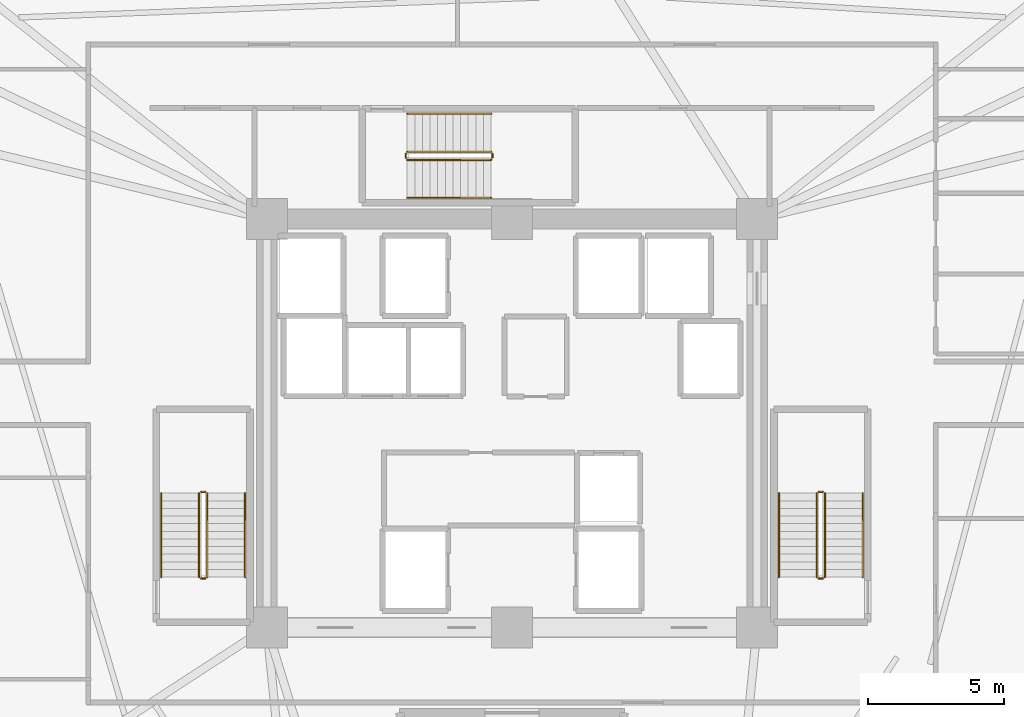
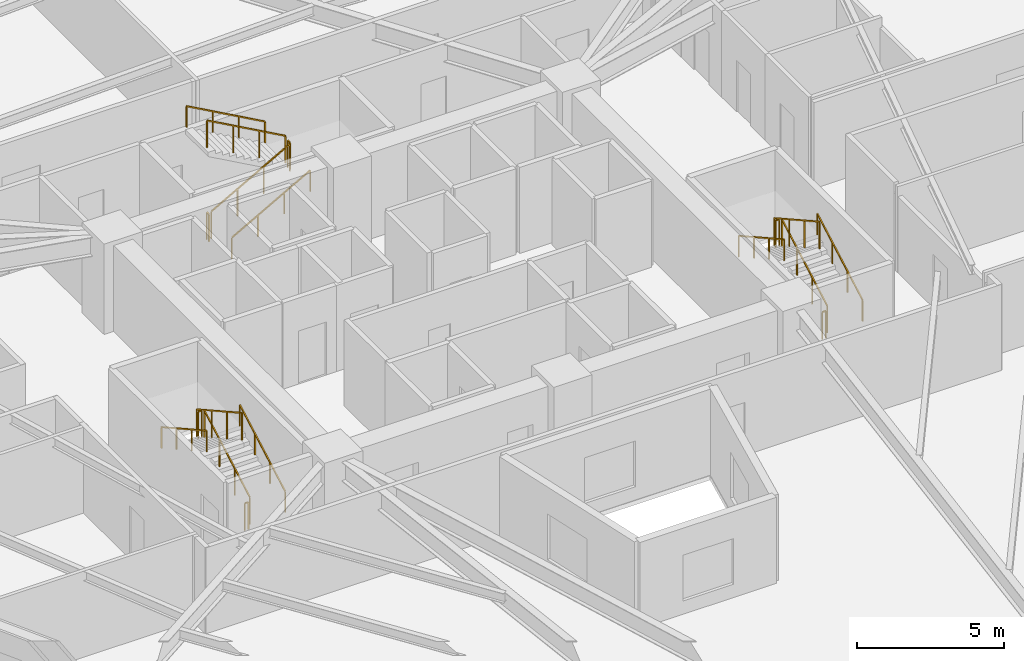
# One storey, part 7 of 7: 18 railings.
"""IFC4 building model written with IfcOpenShell, lengths in metres."""

from ifc_helpers import new_model, si_unit, direction, frame, origin, origin_2d, place, context, subcontext, project, spatial, rectangle, extrude, material, type_object, element, save


model = new_model("IFC4")

# Units and contexts
model_context = context("Model", 3, precision=1e-05, world=origin(), true_north=direction((0.0, 1.0)))
body_context = subcontext(model_context, "Body", "Model", "MODEL_VIEW")
ifc_project = project(units=[si_unit("LENGTHUNIT", "METRE"), si_unit("AREAUNIT", "SQUARE_METRE"), si_unit("VOLUMEUNIT", "CUBIC_METRE"), si_unit("PLANEANGLEUNIT", "RADIAN"), si_unit("MASSUNIT", "GRAM", prefix="KILO")], contexts=[model_context])

# Site, building, storey
site_placement = place(None, origin())
site = spatial("IfcSite", under=ifc_project, at=site_placement, CompositionType="ELEMENT")
building_placement = place(site_placement, origin())
building = spatial("IfcBuilding", under=site, at=building_placement, Name="Liaohun Quay Tower", CompositionType="ELEMENT")
storey_placement = place(building_placement, frame((0.0, 0.0, 120.75)))
storey = spatial("IfcBuildingStorey", under=building, at=storey_placement, Name="L31", CompositionType="ELEMENT", Elevation=120.75)

# Railings
ifc_material_1 = material(Name="Painted tubular steel", Category="steel")
railing_type_1 = type_object("IfcRailingType", Name="RLG-GUARD-STR", PredefinedType="GUARDRAIL", material=ifc_material_1)
railing_1_placement = place(storey_placement, frame((48.81005859375, 48.35009765625, 0.15625)))
element("IfcRailing", 1, at=railing_1_placement, inside=storey, type_object=railing_type_1, Name="L31 ST-1 stair guard 1", PredefinedType="GUARDRAIL", context=body_context, shape_type="SweptSolid", body=[
    extrude(rectangle(XDim=0.048095703125, YDim=0.048095703125, at=origin_2d()), frame((0.0, 0.0, 1.1259765625), z_axis=(0.0, 0.873225103656, 0.487317061414), x_axis=(-1.0, 0.0, 0.0)), (0.0, 0.0, 1.0), 3.52685546875),
    extrude(rectangle(XDim=0.0419921875, YDim=0.0419921875, at=origin_2d()), origin(), (0.0, 0.0, 1.0), 1.101806640625),
    extrude(rectangle(XDim=0.0419921875, YDim=0.0419921875, at=origin_2d()), frame((0.0, 1.026611328125, 0.572998046875)), (0.0, 0.0, 1.0), 1.101806640625),
    extrude(rectangle(XDim=0.0419921875, YDim=0.0419921875, at=origin_2d()), frame((0.0, 2.05322265625, 1.145751953125)), (0.0, 0.0, 1.0), 1.101806640625),
    extrude(rectangle(XDim=0.0419921875, YDim=0.0419921875, at=origin_2d()), frame((0.0, 3.079833984375, 1.71875)), (0.0, 0.0, 1.0), 1.101806640625),
])
railing_2_placement = place(storey_placement, frame((48.72998046875, 51.47998046875, 1.875)))
element("IfcRailing", 2, at=railing_2_placement, inside=storey, type_object=railing_type_1, Name="L31 ST-1 stair guard 2", PredefinedType="GUARDRAIL", context=body_context, shape_type="SweptSolid", body=[
    extrude(rectangle(XDim=0.048095703125, YDim=0.048095703125, at=origin_2d()), frame((0.0, 0.0, 1.1259765625), z_axis=(-1.0, 0.0, 0.0), x_axis=(0.0, -1.0, 0.0)), (0.0, 0.0, 1.0), 0.139892578125),
    extrude(rectangle(XDim=0.0419921875, YDim=0.0419921875, at=origin_2d()), origin(), (0.0, 0.0, 1.0), 1.101806640625),
    extrude(rectangle(XDim=0.0419921875, YDim=0.0419921875, at=origin_2d()), frame((-0.139892578125, 0.0, 0.0)), (0.0, 0.0, 1.0), 1.101806640625),
])
railing_3_placement = place(storey_placement, frame((48.510009765625, 51.429931640625, 2.03125)))
element("IfcRailing", 3, at=railing_3_placement, inside=storey, type_object=railing_type_1, Name="L31 ST-1 stair guard 3", PredefinedType="GUARDRAIL", context=body_context, shape_type="SweptSolid", body=[
    extrude(rectangle(XDim=0.048095703125, YDim=0.048095703125, at=origin_2d()), frame((0.0, 0.0, 1.1259765625), z_axis=(0.0, -0.873225103656, 0.487317061414), x_axis=(1.0, 0.0, 0.0)), (0.0, 0.0, 1.0), 3.52685546875),
    extrude(rectangle(XDim=0.0419921875, YDim=0.0419921875, at=origin_2d()), origin(), (0.0, 0.0, 1.0), 1.101806640625),
    extrude(rectangle(XDim=0.0419921875, YDim=0.0419921875, at=origin_2d()), frame((0.0, -1.026611328125, 0.572998046875)), (0.0, 0.0, 1.0), 1.101806640625),
    extrude(rectangle(XDim=0.0419921875, YDim=0.0419921875, at=origin_2d()), frame((0.0, -2.05322265625, 1.145751953125)), (0.0, 0.0, 1.0), 1.101806640625),
    extrude(rectangle(XDim=0.0419921875, YDim=0.0419921875, at=origin_2d()), frame((0.0, -3.079833984375, 1.71875)), (0.0, 0.0, 1.0), 1.101806640625),
])
railing_4_placement = place(storey_placement, frame((48.72998046875, 48.300048828125, 0.0)))
element("IfcRailing", 4, at=railing_4_placement, inside=storey, type_object=railing_type_1, Name="L31 ST-1 stair guard 4", PredefinedType="GUARDRAIL", context=body_context, shape_type="SweptSolid", body=[
    extrude(rectangle(XDim=0.048095703125, YDim=0.048095703125, at=origin_2d()), frame((0.0, 0.0, 1.1259765625), z_axis=(-1.0, 0.0, 0.0), x_axis=(0.0, -1.0, 0.0)), (0.0, 0.0, 1.0), 0.139892578125),
    extrude(rectangle(XDim=0.0419921875, YDim=0.0419921875, at=origin_2d()), origin(), (0.0, 0.0, 1.0), 1.101806640625),
    extrude(rectangle(XDim=0.0419921875, YDim=0.0419921875, at=origin_2d()), frame((-0.139892578125, 0.0, 0.0)), (0.0, 0.0, 1.0), 1.101806640625),
])
railing_5_placement = place(storey_placement, frame((71.489990234375, 48.35009765625, 0.15625)))
element("IfcRailing", 5, at=railing_5_placement, inside=storey, type_object=railing_type_1, Name="L31 ST-2 stair guard 1", PredefinedType="GUARDRAIL", context=body_context, shape_type="SweptSolid", body=[
    extrude(rectangle(XDim=0.048095703125, YDim=0.048095703125, at=origin_2d()), frame((0.0, 0.0, 1.1259765625), z_axis=(0.0, 0.873225103656, 0.487317061414), x_axis=(-1.0, 0.0, 0.0)), (0.0, 0.0, 1.0), 3.52685546875),
    extrude(rectangle(XDim=0.0419921875, YDim=0.0419921875, at=origin_2d()), origin(), (0.0, 0.0, 1.0), 1.101806640625),
    extrude(rectangle(XDim=0.0419921875, YDim=0.0419921875, at=origin_2d()), frame((0.0, 1.026611328125, 0.572998046875)), (0.0, 0.0, 1.0), 1.101806640625),
    extrude(rectangle(XDim=0.0419921875, YDim=0.0419921875, at=origin_2d()), frame((0.0, 2.05322265625, 1.145751953125)), (0.0, 0.0, 1.0), 1.101806640625),
    extrude(rectangle(XDim=0.0419921875, YDim=0.0419921875, at=origin_2d()), frame((0.0, 3.079833984375, 1.71875)), (0.0, 0.0, 1.0), 1.101806640625),
])
railing_6_placement = place(storey_placement, frame((71.409912109375, 51.47998046875, 1.875)))
element("IfcRailing", 6, at=railing_6_placement, inside=storey, type_object=railing_type_1, Name="L31 ST-2 stair guard 2", PredefinedType="GUARDRAIL", context=body_context, shape_type="SweptSolid", body=[
    extrude(rectangle(XDim=0.048095703125, YDim=0.048095703125, at=origin_2d()), frame((0.0, 0.0, 1.1259765625), z_axis=(-1.0, 0.0, 0.0), x_axis=(0.0, -1.0, 0.0)), (0.0, 0.0, 1.0), 0.139892578125),
    extrude(rectangle(XDim=0.0419921875, YDim=0.0419921875, at=origin_2d()), origin(), (0.0, 0.0, 1.0), 1.101806640625),
    extrude(rectangle(XDim=0.0419921875, YDim=0.0419921875, at=origin_2d()), frame((-0.139892578125, 0.0, 0.0)), (0.0, 0.0, 1.0), 1.101806640625),
])
railing_7_placement = place(storey_placement, frame((71.18994140625, 51.429931640625, 2.03125)))
element("IfcRailing", 7, at=railing_7_placement, inside=storey, type_object=railing_type_1, Name="L31 ST-2 stair guard 3", PredefinedType="GUARDRAIL", context=body_context, shape_type="SweptSolid", body=[
    extrude(rectangle(XDim=0.048095703125, YDim=0.048095703125, at=origin_2d()), frame((0.0, 0.0, 1.1259765625), z_axis=(0.0, -0.873225103656, 0.487317061414), x_axis=(1.0, 0.0, 0.0)), (0.0, 0.0, 1.0), 3.52685546875),
    extrude(rectangle(XDim=0.0419921875, YDim=0.0419921875, at=origin_2d()), origin(), (0.0, 0.0, 1.0), 1.101806640625),
    extrude(rectangle(XDim=0.0419921875, YDim=0.0419921875, at=origin_2d()), frame((0.0, -1.026611328125, 0.572998046875)), (0.0, 0.0, 1.0), 1.101806640625),
    extrude(rectangle(XDim=0.0419921875, YDim=0.0419921875, at=origin_2d()), frame((0.0, -2.05322265625, 1.145751953125)), (0.0, 0.0, 1.0), 1.101806640625),
    extrude(rectangle(XDim=0.0419921875, YDim=0.0419921875, at=origin_2d()), frame((0.0, -3.079833984375, 1.71875)), (0.0, 0.0, 1.0), 1.101806640625),
])
railing_8_placement = place(storey_placement, frame((71.409912109375, 48.300048828125, 0.0)))
element("IfcRailing", 8, at=railing_8_placement, inside=storey, type_object=railing_type_1, Name="L31 ST-2 stair guard 4", PredefinedType="GUARDRAIL", context=body_context, shape_type="SweptSolid", body=[
    extrude(rectangle(XDim=0.048095703125, YDim=0.048095703125, at=origin_2d()), frame((0.0, 0.0, 1.1259765625), z_axis=(-1.0, 0.0, 0.0), x_axis=(0.0, -1.0, 0.0)), (0.0, 0.0, 1.0), 0.139892578125),
    extrude(rectangle(XDim=0.0419921875, YDim=0.0419921875, at=origin_2d()), origin(), (0.0, 0.0, 1.0), 1.101806640625),
    extrude(rectangle(XDim=0.0419921875, YDim=0.0419921875, at=origin_2d()), frame((-0.139892578125, 0.0, 0.0)), (0.0, 0.0, 1.0), 1.101806640625),
])
railing_9_placement = place(storey_placement, frame((56.14990234375, 63.669921875, 0.15625)))
element("IfcRailing", 9, at=railing_9_placement, inside=storey, type_object=railing_type_1, Name="L31 ST-3 stair guard 1", PredefinedType="GUARDRAIL", context=body_context, shape_type="SweptSolid", body=[
    extrude(rectangle(XDim=0.048095703125, YDim=0.048095703125, at=origin_2d()), frame((0.0, 0.0, 1.1259765625), z_axis=(0.873241540666, 0.0, 0.487287606713), x_axis=(0.0, 1.0, 0.0)), (0.0, 0.0, 1.0), 3.527099609375),
    extrude(rectangle(XDim=0.0419921875, YDim=0.0419921875, at=origin_2d()), origin(), (0.0, 0.0, 1.0), 1.101806640625),
    extrude(rectangle(XDim=0.0419921875, YDim=0.0419921875, at=origin_2d()), frame((1.026611328125, 0.0, 0.572998046875)), (0.0, 0.0, 1.0), 1.101806640625),
    extrude(rectangle(XDim=0.0419921875, YDim=0.0419921875, at=origin_2d()), frame((2.053466796875, 0.0, 1.145751953125)), (0.0, 0.0, 1.0), 1.101806640625),
    extrude(rectangle(XDim=0.0419921875, YDim=0.0419921875, at=origin_2d()), frame((3.080078125, 0.0, 1.71875)), (0.0, 0.0, 1.0), 1.101806640625),
])
railing_10_placement = place(storey_placement, frame((59.280029296875, 63.75, 1.875)))
element("IfcRailing", 10, at=railing_10_placement, inside=storey, type_object=railing_type_1, Name="L31 ST-3 stair guard 2", PredefinedType="GUARDRAIL", context=body_context, shape_type="SweptSolid", body=[
    extrude(rectangle(XDim=0.048095703125, YDim=0.048095703125, at=origin_2d()), frame((0.0, 0.0, 1.1259765625), z_axis=(0.0, 1.0, 0.0), x_axis=(-1.0, 0.0, 0.0)), (0.0, 0.0, 1.0), 0.139892578125),
    extrude(rectangle(XDim=0.0419921875, YDim=0.0419921875, at=origin_2d()), origin(), (0.0, 0.0, 1.0), 1.101806640625),
    extrude(rectangle(XDim=0.0419921875, YDim=0.0419921875, at=origin_2d()), frame((0.0, 0.139892578125, 0.0)), (0.0, 0.0, 1.0), 1.101806640625),
])
railing_11_placement = place(storey_placement, frame((59.22998046875, 63.969970703125, 2.03125)))
element("IfcRailing", 11, at=railing_11_placement, inside=storey, type_object=railing_type_1, Name="L31 ST-3 stair guard 3", PredefinedType="GUARDRAIL", context=body_context, shape_type="SweptSolid", body=[
    extrude(rectangle(XDim=0.048095703125, YDim=0.048095703125, at=origin_2d()), frame((0.0, 0.0, 1.1259765625), z_axis=(-0.873241540666, 0.0, 0.487287606713), x_axis=(0.0, -1.0, 0.0)), (0.0, 0.0, 1.0), 3.527099609375),
    extrude(rectangle(XDim=0.0419921875, YDim=0.0419921875, at=origin_2d()), origin(), (0.0, 0.0, 1.0), 1.101806640625),
    extrude(rectangle(XDim=0.0419921875, YDim=0.0419921875, at=origin_2d()), frame((-1.026611328125, 0.0, 0.572998046875)), (0.0, 0.0, 1.0), 1.101806640625),
    extrude(rectangle(XDim=0.0419921875, YDim=0.0419921875, at=origin_2d()), frame((-2.053466796875, 0.0, 1.145751953125)), (0.0, 0.0, 1.0), 1.101806640625),
    extrude(rectangle(XDim=0.0419921875, YDim=0.0419921875, at=origin_2d()), frame((-3.080078125, 0.0, 1.71875)), (0.0, 0.0, 1.0), 1.101806640625),
])
railing_12_placement = place(storey_placement, frame((56.10009765625, 63.75, 0.0)))
element("IfcRailing", 12, at=railing_12_placement, inside=storey, type_object=railing_type_1, Name="L31 ST-3 stair guard 4", PredefinedType="GUARDRAIL", context=body_context, shape_type="SweptSolid", body=[
    extrude(rectangle(XDim=0.048095703125, YDim=0.048095703125, at=origin_2d()), frame((0.0, 0.0, 1.1259765625), z_axis=(0.0, 1.0, 0.0), x_axis=(-1.0, 0.0, 0.0)), (0.0, 0.0, 1.0), 0.139892578125),
    extrude(rectangle(XDim=0.0419921875, YDim=0.0419921875, at=origin_2d()), origin(), (0.0, 0.0, 1.0), 1.101806640625),
    extrude(rectangle(XDim=0.0419921875, YDim=0.0419921875, at=origin_2d()), frame((0.0, 0.139892578125, 0.0)), (0.0, 0.0, 1.0), 1.101806640625),
])
ifc_material_2 = material(Name="Brushed stainless steel", Category="steel")
railing_type_2 = type_object("IfcRailingType", Name="RLG-HND-STR", PredefinedType="HANDRAIL", material=ifc_material_2)
railing_13_placement = place(storey_placement, frame((50.199951171875, 48.35009765625, 0.15625)))
element("IfcRailing", 13, at=railing_13_placement, inside=storey, type_object=railing_type_2, Name="L31 ST-1 stair handrail 1", PredefinedType="HANDRAIL", context=body_context, shape_type="SweptSolid", body=[
    extrude(rectangle(XDim=0.048095703125, YDim=0.048095703125, at=origin_2d()), frame((0.0, 0.0, 0.8759765625), z_axis=(0.0, 0.873225103656, 0.487317061414), x_axis=(-1.0, 0.0, 0.0)), (0.0, 0.0, 1.0), 3.52685546875),
    extrude(rectangle(XDim=0.0419921875, YDim=0.0419921875, at=origin_2d()), origin(), (0.0, 0.0, 1.0), 0.851806640625),
    extrude(rectangle(XDim=0.0419921875, YDim=0.0419921875, at=origin_2d()), frame((0.0, 1.026611328125, 0.572998046875)), (0.0, 0.0, 1.0), 0.851806640625),
    extrude(rectangle(XDim=0.0419921875, YDim=0.0419921875, at=origin_2d()), frame((0.0, 2.05322265625, 1.145751953125)), (0.0, 0.0, 1.0), 0.851806640625),
    extrude(rectangle(XDim=0.0419921875, YDim=0.0419921875, at=origin_2d()), frame((0.0, 3.079833984375, 1.71875)), (0.0, 0.0, 1.0), 0.851806640625),
])
railing_14_placement = place(storey_placement, frame((47.1201171875, 51.429931640625, 2.03125)))
element("IfcRailing", 14, at=railing_14_placement, inside=storey, type_object=railing_type_2, Name="L31 ST-1 stair handrail 2", PredefinedType="HANDRAIL", context=body_context, shape_type="SweptSolid", body=[
    extrude(rectangle(XDim=0.048095703125, YDim=0.048095703125, at=origin_2d()), frame((0.0, 0.0, 0.8759765625), z_axis=(0.0, -0.873225103656, 0.487317061414), x_axis=(1.0, 0.0, 0.0)), (0.0, 0.0, 1.0), 3.52685546875),
    extrude(rectangle(XDim=0.0419921875, YDim=0.0419921875, at=origin_2d()), origin(), (0.0, 0.0, 1.0), 0.851806640625),
    extrude(rectangle(XDim=0.0419921875, YDim=0.0419921875, at=origin_2d()), frame((0.0, -1.026611328125, 0.572998046875)), (0.0, 0.0, 1.0), 0.851806640625),
    extrude(rectangle(XDim=0.0419921875, YDim=0.0419921875, at=origin_2d()), frame((0.0, -2.05322265625, 1.145751953125)), (0.0, 0.0, 1.0), 0.851806640625),
    extrude(rectangle(XDim=0.0419921875, YDim=0.0419921875, at=origin_2d()), frame((0.0, -3.079833984375, 1.71875)), (0.0, 0.0, 1.0), 0.851806640625),
])
railing_15_placement = place(storey_placement, frame((72.8798828125, 48.35009765625, 0.15625)))
element("IfcRailing", 15, at=railing_15_placement, inside=storey, type_object=railing_type_2, Name="L31 ST-2 stair handrail 1", PredefinedType="HANDRAIL", context=body_context, shape_type="SweptSolid", body=[
    extrude(rectangle(XDim=0.048095703125, YDim=0.048095703125, at=origin_2d()), frame((0.0, 0.0, 0.8759765625), z_axis=(0.0, 0.873225103656, 0.487317061414), x_axis=(-1.0, 0.0, 0.0)), (0.0, 0.0, 1.0), 3.52685546875),
    extrude(rectangle(XDim=0.0419921875, YDim=0.0419921875, at=origin_2d()), origin(), (0.0, 0.0, 1.0), 0.851806640625),
    extrude(rectangle(XDim=0.0419921875, YDim=0.0419921875, at=origin_2d()), frame((0.0, 1.026611328125, 0.572998046875)), (0.0, 0.0, 1.0), 0.851806640625),
    extrude(rectangle(XDim=0.0419921875, YDim=0.0419921875, at=origin_2d()), frame((0.0, 2.05322265625, 1.145751953125)), (0.0, 0.0, 1.0), 0.851806640625),
    extrude(rectangle(XDim=0.0419921875, YDim=0.0419921875, at=origin_2d()), frame((0.0, 3.079833984375, 1.71875)), (0.0, 0.0, 1.0), 0.851806640625),
])
railing_16_placement = place(storey_placement, frame((69.800048828125, 51.429931640625, 2.03125)))
element("IfcRailing", 16, at=railing_16_placement, inside=storey, type_object=railing_type_2, Name="L31 ST-2 stair handrail 2", PredefinedType="HANDRAIL", context=body_context, shape_type="SweptSolid", body=[
    extrude(rectangle(XDim=0.048095703125, YDim=0.048095703125, at=origin_2d()), frame((0.0, 0.0, 0.8759765625), z_axis=(0.0, -0.873225103656, 0.487317061414), x_axis=(1.0, 0.0, 0.0)), (0.0, 0.0, 1.0), 3.52685546875),
    extrude(rectangle(XDim=0.0419921875, YDim=0.0419921875, at=origin_2d()), origin(), (0.0, 0.0, 1.0), 0.851806640625),
    extrude(rectangle(XDim=0.0419921875, YDim=0.0419921875, at=origin_2d()), frame((0.0, -1.026611328125, 0.572998046875)), (0.0, 0.0, 1.0), 0.851806640625),
    extrude(rectangle(XDim=0.0419921875, YDim=0.0419921875, at=origin_2d()), frame((0.0, -2.05322265625, 1.145751953125)), (0.0, 0.0, 1.0), 0.851806640625),
    extrude(rectangle(XDim=0.0419921875, YDim=0.0419921875, at=origin_2d()), frame((0.0, -3.079833984375, 1.71875)), (0.0, 0.0, 1.0), 0.851806640625),
])
railing_17_placement = place(storey_placement, frame((56.14990234375, 62.280029296875, 0.15625)))
element("IfcRailing", 17, at=railing_17_placement, inside=storey, type_object=railing_type_2, Name="L31 ST-3 stair handrail 1", PredefinedType="HANDRAIL", context=body_context, shape_type="SweptSolid", body=[
    extrude(rectangle(XDim=0.048095703125, YDim=0.048095703125, at=origin_2d()), frame((0.0, 0.0, 0.8759765625), z_axis=(0.873241540666, 0.0, 0.487287606713), x_axis=(0.0, 1.0, 0.0)), (0.0, 0.0, 1.0), 3.527099609375),
    extrude(rectangle(XDim=0.0419921875, YDim=0.0419921875, at=origin_2d()), origin(), (0.0, 0.0, 1.0), 0.851806640625),
    extrude(rectangle(XDim=0.0419921875, YDim=0.0419921875, at=origin_2d()), frame((1.026611328125, 0.0, 0.572998046875)), (0.0, 0.0, 1.0), 0.851806640625),
    extrude(rectangle(XDim=0.0419921875, YDim=0.0419921875, at=origin_2d()), frame((2.053466796875, 0.0, 1.145751953125)), (0.0, 0.0, 1.0), 0.851806640625),
    extrude(rectangle(XDim=0.0419921875, YDim=0.0419921875, at=origin_2d()), frame((3.080078125, 0.0, 1.71875)), (0.0, 0.0, 1.0), 0.851806640625),
])
railing_18_placement = place(storey_placement, frame((59.22998046875, 65.360107421875, 2.03125)))
element("IfcRailing", 18, at=railing_18_placement, inside=storey, type_object=railing_type_2, Name="L31 ST-3 stair handrail 2", PredefinedType="HANDRAIL", context=body_context, shape_type="SweptSolid", body=[
    extrude(rectangle(XDim=0.048095703125, YDim=0.048095703125, at=origin_2d()), frame((0.0, 0.0, 0.8759765625), z_axis=(-0.873241540666, 0.0, 0.487287606713), x_axis=(0.0, -1.0, 0.0)), (0.0, 0.0, 1.0), 3.527099609375),
    extrude(rectangle(XDim=0.0419921875, YDim=0.0419921875, at=origin_2d()), origin(), (0.0, 0.0, 1.0), 0.851806640625),
    extrude(rectangle(XDim=0.0419921875, YDim=0.0419921875, at=origin_2d()), frame((-1.026611328125, 0.0, 0.572998046875)), (0.0, 0.0, 1.0), 0.851806640625),
    extrude(rectangle(XDim=0.0419921875, YDim=0.0419921875, at=origin_2d()), frame((-2.053466796875, 0.0, 1.145751953125)), (0.0, 0.0, 1.0), 0.851806640625),
    extrude(rectangle(XDim=0.0419921875, YDim=0.0419921875, at=origin_2d()), frame((-3.080078125, 0.0, 1.71875)), (0.0, 0.0, 1.0), 0.851806640625),
])

save(model, "model.ifc")
